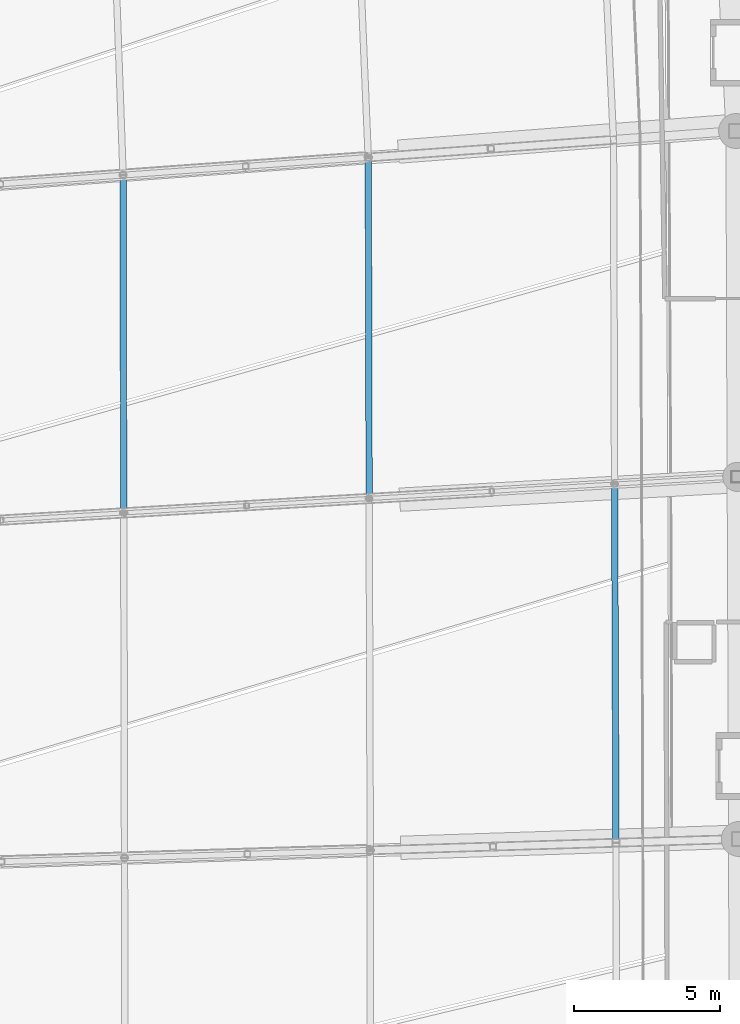
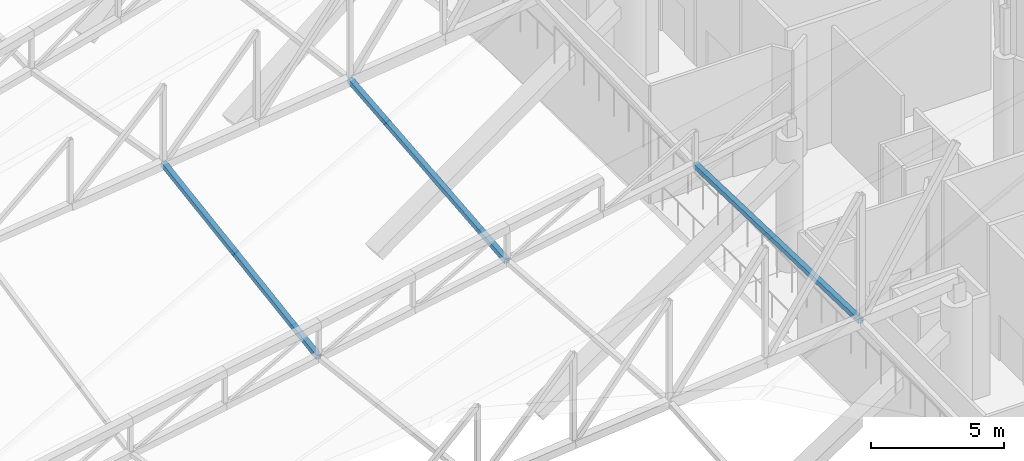
# One storey, part 178 of 344: 3 members.
"""IFC4 building model written with IfcOpenShell, lengths in metres."""

import ifcopenshell
import ifcopenshell.guid

model = None  # the IFC model being written
_history = None  # IfcOwnerHistory: only IFC2X3 demands one
_inside = {}  # id of a spatial element -> (the spatial element, [elements in it])
_under = {}  # id of a project, library or spatial element -> (it, [spatial elements below it])
_declared = {}  # id of a project -> (the project, [libraries it declares])
_typed = {}  # id of a type object -> (the type object, [elements of that type])
_made_of = {}  # id of a material, layer set ... -> (it, [elements and type objects made of it])


def new_model(schema):
    """Start an empty IFC model of exactly this schema.

    Asked for "IFC4X3", IfcOpenShell would pick the latest addendum, in which some entities
    have other attributes; the version numbers below select the first issue.
    IFC2X3 requires an IfcOwnerHistory on every rooted entity: one is made here for all.
    """
    global model, _history
    if schema == "IFC4X3":
        model = ifcopenshell.file(schema_version=(4, 3, 0, 0))
    else:
        model = ifcopenshell.file(schema=schema)
    _inside.clear()
    _under.clear()
    _declared.clear()
    _typed.clear()
    _made_of.clear()
    _history = None
    if model.schema == "IFC2X3":
        org = make("IfcOrganization", Name="unknown")
        user = make(
            "IfcPersonAndOrganization",
            ThePerson=make("IfcPerson", FamilyName="unknown"),
            TheOrganization=org,
        )
        app = make(
            "IfcApplication",
            ApplicationDeveloper=org,
            Version="unknown",
            ApplicationFullName="unknown",
            ApplicationIdentifier="unknown",
        )
        _history = make(
            "IfcOwnerHistory",
            OwningUser=user,
            OwningApplication=app,
            ChangeAction="ADDED",
            CreationDate=0,
        )
    return model


def make(cls, **values):
    """One entity of the class cls with the attributes given. An attribute that is None is left unset."""
    return model.create_entity(
        cls, **{name: value for name, value in values.items() if value is not None}
    )


def rooted(cls, **values):
    """An entity with a GlobalId (a new one), such as an element, a storey or a relation."""
    return make(cls, GlobalId=ifcopenshell.guid.new(), OwnerHistory=_history, **values)


def si_unit(unit_type, name, prefix=None):
    """IfcSIUnit, for example si_unit("LENGTHUNIT", "METRE", prefix="MILLI")."""
    return make("IfcSIUnit", UnitType=unit_type, Prefix=prefix, Name=name)


def assignment(units):
    """IfcUnitAssignment: the units of a project."""
    return None if units is None else make("IfcUnitAssignment", Units=units)


def point(xyz):
    """IfcCartesianPoint."""
    return None if xyz is None else make("IfcCartesianPoint", Coordinates=xyz)


def direction(xyz):
    """IfcDirection."""
    return None if xyz is None else make("IfcDirection", DirectionRatios=xyz)


def frame(location, z_axis=None, x_axis=None):
    """IfcAxis2Placement3D, a coordinate frame: its origin and axes. An axis left out is left unset."""
    return make(
        "IfcAxis2Placement3D",
        Location=point(location),
        Axis=direction(z_axis),
        RefDirection=direction(x_axis),
    )


def frame_2d(location, x_axis=None):
    """IfcAxis2Placement2D, a coordinate frame in the plane: its origin and x axis."""
    return make(
        "IfcAxis2Placement2D", Location=point(location), RefDirection=direction(x_axis)
    )


def origin():
    """The frame at (0, 0, 0) with its axes left unset."""
    return frame((0.0, 0.0, 0.0))


def origin_2d():
    """The frame at (0, 0) in the plane with its x axis left unset."""
    return frame_2d((0.0, 0.0))


def place(relative_to, where):
    """IfcLocalPlacement: puts the frame where relative to a parent placement (None: the world)."""
    return make(
        "IfcLocalPlacement", PlacementRelTo=relative_to, RelativePlacement=where
    )


def context(
    kind, dimensions, precision=None, world=None, true_north=None, identifier=None
):
    """IfcGeometricRepresentationContext, for example the 3D "Model" context."""
    return make(
        "IfcGeometricRepresentationContext",
        ContextIdentifier=identifier,
        ContextType=kind,
        CoordinateSpaceDimension=dimensions,
        Precision=precision,
        WorldCoordinateSystem=world,
        TrueNorth=true_north,
    )


def subcontext(parent, identifier, kind, view, scale=None):
    """IfcGeometricRepresentationSubContext, for example "Body" below "Model"."""
    return make(
        "IfcGeometricRepresentationSubContext",
        ContextIdentifier=identifier,
        ContextType=kind,
        ParentContext=parent,
        TargetScale=scale,
        TargetView=view,
    )


def project(units=None, contexts=None):
    """IfcProject with its units and contexts."""
    return rooted(
        "IfcProject",
        Name="project",
        RepresentationContexts=contexts,
        UnitsInContext=assignment(units),
    )


def spatial(cls, under=None, at=None, **own):
    """A site, building, storey or space (cls), placed at a placement, below another one or the project."""
    s = rooted(cls, ObjectPlacement=at, **own)
    if under is not None:
        _under.setdefault(under.id(), (under, []))[1].append(s)
    return s


def profile(cls, at=None, kind="AREA", **sizes):
    """A parametric profile (cls). Its sizes go by their IFC names, for example OverallWidth=200.0."""
    return make(cls, ProfileType=kind, Position=at, **sizes)


def hollow_rectangle(**sizes):
    """IfcRectangleHollowProfileDef."""
    return profile("IfcRectangleHollowProfileDef", **sizes)


def extrude(swept, where, along, depth):
    """IfcExtrudedAreaSolid: the profile swept, set in the frame where, extruded along a direction by depth."""
    return make(
        "IfcExtrudedAreaSolid",
        SweptArea=swept,
        Position=where,
        ExtrudedDirection=direction(along),
        Depth=depth,
    )


def shape(context_of_items, identifier, shape_type, items):
    """IfcShapeRepresentation: the items that make up one representation, for example the "Body"."""
    return make(
        "IfcShapeRepresentation",
        ContextOfItems=context_of_items,
        RepresentationIdentifier=identifier,
        RepresentationType=shape_type,
        Items=items,
    )


def material(Name=None, Category=None):
    """IfcMaterial."""
    return make("IfcMaterial", Name=Name, Category=Category)


def material_profile(
    of_material, cross_section, Name=None, Category=None, Priority=None
):
    """IfcMaterialProfile: a cross section and its material."""
    return make(
        "IfcMaterialProfile",
        Name=Name,
        Material=of_material,
        Profile=cross_section,
        Priority=Priority,
        Category=Category,
    )


def profile_set(profiles, Name=None, composite=None):
    """IfcMaterialProfileSet."""
    return make(
        "IfcMaterialProfileSet",
        Name=Name,
        MaterialProfiles=profiles,
        CompositeProfile=composite,
    )


def made_of(thing, what):
    """Note that an element or type object is made of a material, layer set ...; save() writes the relation."""
    if what is not None:
        _made_of.setdefault(what.id(), (what, []))[1].append(thing)
    return thing


def type_object(cls, material=None, **own):
    """A type object (cls), such as IfcWallType, which elements share."""
    return made_of(rooted(cls, **own), material)


def element(
    cls,
    number,
    at=None,
    inside=None,
    cuts=None,
    type_object=None,
    material=None,
    context=None,
    identifier="Body",
    shape_type=None,
    held_by="IfcProductDefinitionShape",
    body=None,
    shapes=None,
    **own,
):
    """One element of the class cls, such as IfcWall. Its Tag is "e" and its number.

    at: its placement. inside: the storey or other place that contains it. cuts: it is an
    opening in that element (IfcRelVoidsElement). A single representation is given by context,
    identifier, shape_type and body (its items); several are given by shapes. held_by: the class
    of the entity that holds the representations. save() writes the other relations.
    """
    e = rooted(cls, Tag="e%d" % number, ObjectPlacement=at, **own)
    if body is not None:
        shapes = [shape(context, identifier, shape_type, body)]
    if shapes is not None:
        e.Representation = make(held_by, Representations=shapes)
    if inside is not None:
        _inside.setdefault(inside.id(), (inside, []))[1].append(e)
    if cuts is not None:
        rooted(
            "IfcRelVoidsElement", RelatingBuildingElement=cuts, RelatedOpeningElement=e
        )
    if type_object is not None:
        _typed.setdefault(type_object.id(), (type_object, []))[1].append(e)
    return made_of(e, material)


def aggregate(whole, parts):
    """IfcRelAggregates: a whole, such as a stair, and the parts it consists of."""
    return rooted("IfcRelAggregates", RelatingObject=whole, RelatedObjects=parts)


def save(model, path):
    """Write the relations noted so far, then the file.

    IfcRelAggregates (storeys below a building ...), IfcRelContainedInSpatialStructure (elements
    in a storey), IfcRelDefinesByType, IfcRelAssociatesMaterial and IfcRelDeclares: one each for
    every whole, place, type object, material and project.
    """
    for whole, parts in _under.values():
        aggregate(whole, parts)
    for where, things in _inside.values():
        rooted(
            "IfcRelContainedInSpatialStructure",
            RelatedElements=things,
            RelatingStructure=where,
        )
    for kind, things in _typed.values():
        rooted("IfcRelDefinesByType", RelatedObjects=things, RelatingType=kind)
    for what, things in _made_of.values():
        rooted("IfcRelAssociatesMaterial", RelatedObjects=things, RelatingMaterial=what)
    for by, libraries in _declared.values():
        rooted("IfcRelDeclares", RelatingContext=by, RelatedDefinitions=libraries)
    model.write(path)


model = new_model("IFC4")

# Units and contexts
model_context = context("Model", 3, precision=1e-05, world=origin(), true_north=direction((0.0, 1.0)))
body_context = subcontext(model_context, "Body", "Model", "MODEL_VIEW")
ifc_project = project(units=[si_unit("LENGTHUNIT", "METRE"), si_unit("AREAUNIT", "SQUARE_METRE"), si_unit("VOLUMEUNIT", "CUBIC_METRE"), si_unit("PLANEANGLEUNIT", "RADIAN"), si_unit("MASSUNIT", "GRAM", prefix="KILO")], contexts=[model_context])

# Site, building, storey
site_placement = place(None, origin())
site = spatial("IfcSite", under=ifc_project, at=site_placement, CompositionType="ELEMENT")
building_placement = place(site_placement, origin())
building = spatial("IfcBuilding", under=site, at=building_placement, Name="Meseta Stadium", CompositionType="ELEMENT")
storey_placement = place(building_placement, frame((0.0, 0.0, 24.0)))
storey = spatial("IfcBuildingStorey", under=building, at=storey_placement, Name="L04", CompositionType="ELEMENT", Elevation=24.0)

# Members
ifc_material = material(Name="Steel S355", Category="steel")
ifc_material_profile = material_profile(ifc_material, hollow_rectangle(XDim=0.219970703125, YDim=0.219970703125, WallThickness=0.008056640625, at=origin_2d()), Name="SHS 220x220x8")
ifc_profile_set = profile_set([ifc_material_profile], Name="Steel S355")
member_type = type_object("IfcMemberType", Name="SHS 220x220x8 strut", PredefinedType="STRUT", material=ifc_profile_set)
member_1_placement = place(storey_placement, frame((80.75830078125, 18.113525390625, 6.546630859375), z_axis=(-0.003882544737, 0.999656225211, -0.025929852349), x_axis=(-0.999992457824, -0.003883850624, 0.0)))
element("IfcMember", 1, at=member_1_placement, inside=storey, type_object=member_type, Name="ROOF TRUSS STRUT RT-06/07", PredefinedType="STRUT", context=body_context, shape_type="SweptSolid", body=[
    extrude(hollow_rectangle(XDim=0.219970703125, YDim=0.219970703125, WallThickness=0.008056640625, at=origin_2d()), origin(), (0.0, 0.0, 1.0), 12.32470703125),
])
member_2_placement = place(storey_placement, frame((63.8505859375, 29.44384765625, 3.935791015625), z_axis=(-0.001953820972, 0.98780199864, 0.155702903203), x_axis=(-0.999998043867, -0.001977944115, 0.0)))
element("IfcMember", 2, at=member_2_placement, inside=storey, type_object=member_type, Name="ROOF TRUSS STRUT RT-07/08", PredefinedType="STRUT", context=body_context, shape_type="SweptSolid", body=[
    extrude(hollow_rectangle(XDim=0.219970703125, YDim=0.219970703125, WallThickness=0.008056640625, at=origin_2d()), origin(), (0.0, 0.0, 1.0), 11.745849609375),
])
member_3_placement = place(storey_placement, frame((72.280517578125, 29.93896484375, 5.08154296875), z_axis=(-0.002592071062, 0.994899083224, 0.100841932588), x_axis=(-0.999996606065, -0.002605351948, 0.0)))
element("IfcMember", 3, at=member_3_placement, inside=storey, type_object=member_type, Name="ROOF TRUSS STRUT RT-07/08", PredefinedType="STRUT", context=body_context, shape_type="SweptSolid", body=[
    extrude(hollow_rectangle(XDim=0.219970703125, YDim=0.219970703125, WallThickness=0.008056640625, at=origin_2d()), origin(), (0.0, 0.0, 1.0), 11.7734375),
])

save(model, "model.ifc")
